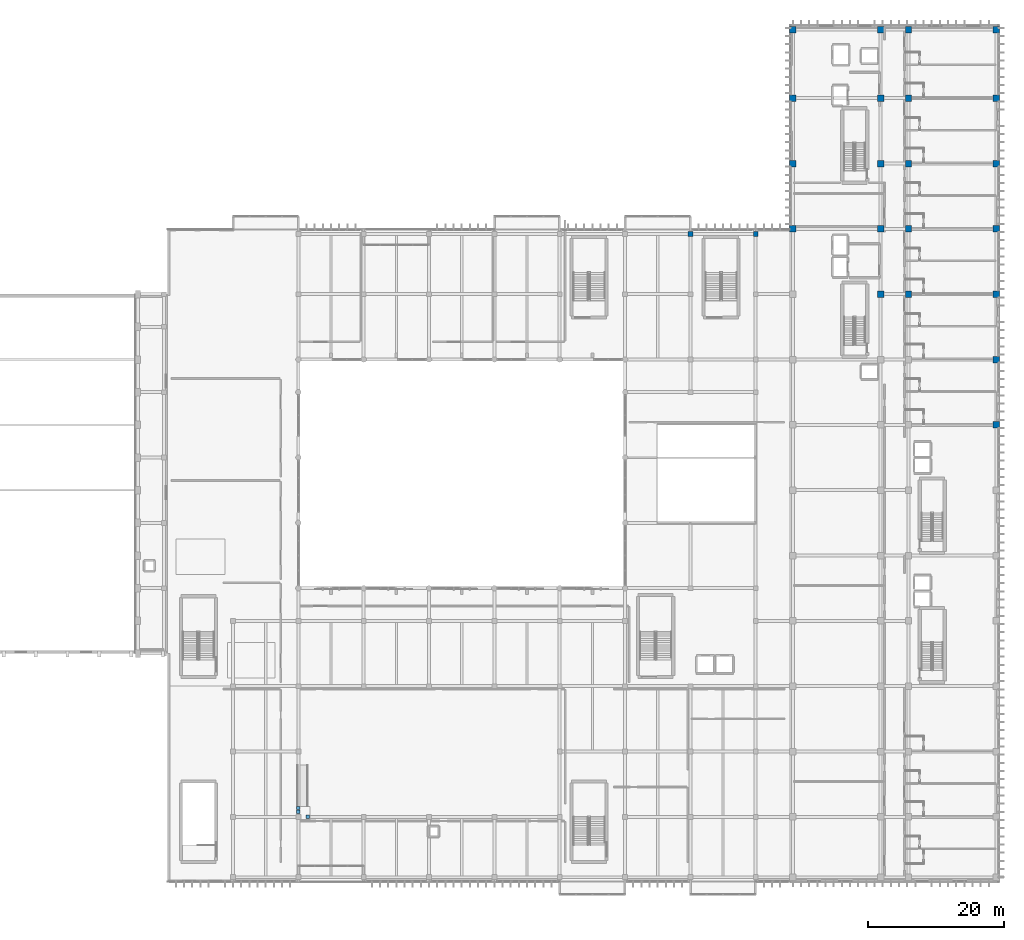
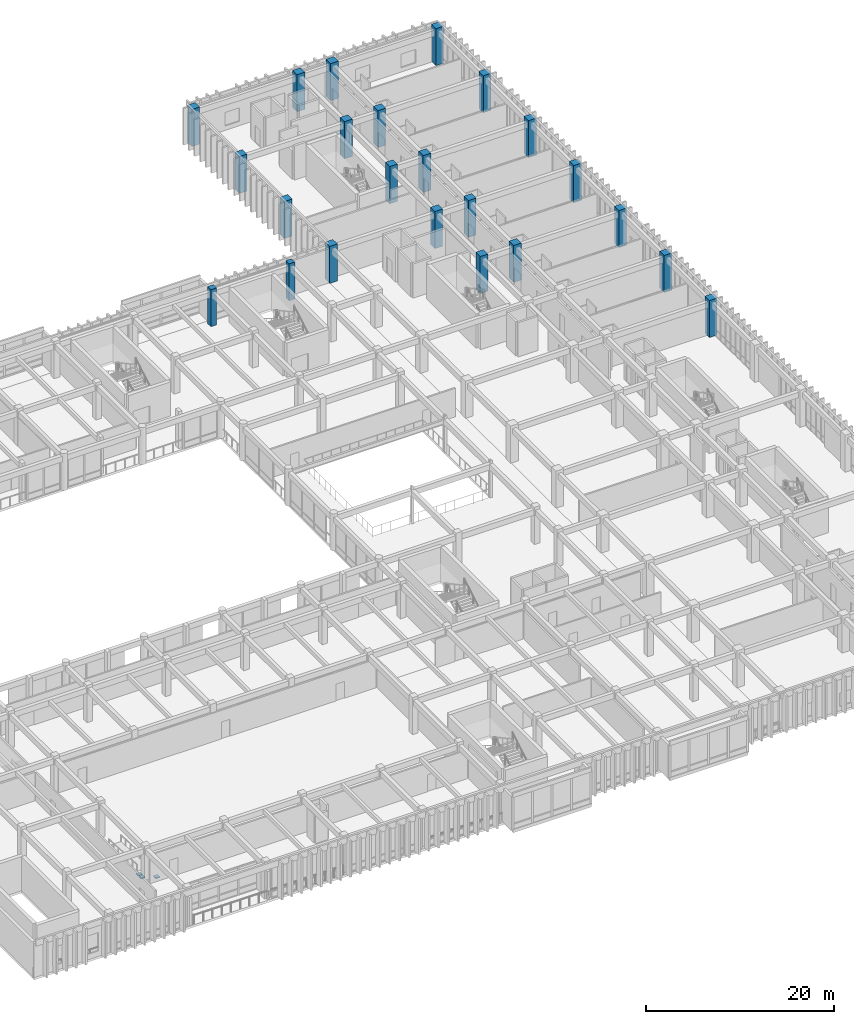
# One storey, part 6 of 133: 26 columns.
"""IFC4 building model written with IfcOpenShell, lengths in metres."""

import ifcopenshell
import ifcopenshell.guid

model = None  # the IFC model being written
_history = None  # IfcOwnerHistory: only IFC2X3 demands one
_inside = {}  # id of a spatial element -> (the spatial element, [elements in it])
_under = {}  # id of a project, library or spatial element -> (it, [spatial elements below it])
_declared = {}  # id of a project -> (the project, [libraries it declares])
_typed = {}  # id of a type object -> (the type object, [elements of that type])
_made_of = {}  # id of a material, layer set ... -> (it, [elements and type objects made of it])


def new_model(schema):
    """Start an empty IFC model of exactly this schema.

    Asked for "IFC4X3", IfcOpenShell would pick the latest addendum, in which some entities
    have other attributes; the version numbers below select the first issue.
    IFC2X3 requires an IfcOwnerHistory on every rooted entity: one is made here for all.
    """
    global model, _history
    if schema == "IFC4X3":
        model = ifcopenshell.file(schema_version=(4, 3, 0, 0))
    else:
        model = ifcopenshell.file(schema=schema)
    _inside.clear()
    _under.clear()
    _declared.clear()
    _typed.clear()
    _made_of.clear()
    _history = None
    if model.schema == "IFC2X3":
        org = make("IfcOrganization", Name="unknown")
        user = make(
            "IfcPersonAndOrganization",
            ThePerson=make("IfcPerson", FamilyName="unknown"),
            TheOrganization=org,
        )
        app = make(
            "IfcApplication",
            ApplicationDeveloper=org,
            Version="unknown",
            ApplicationFullName="unknown",
            ApplicationIdentifier="unknown",
        )
        _history = make(
            "IfcOwnerHistory",
            OwningUser=user,
            OwningApplication=app,
            ChangeAction="ADDED",
            CreationDate=0,
        )
    return model


def make(cls, **values):
    """One entity of the class cls with the attributes given. An attribute that is None is left unset."""
    return model.create_entity(
        cls, **{name: value for name, value in values.items() if value is not None}
    )


def rooted(cls, **values):
    """An entity with a GlobalId (a new one), such as an element, a storey or a relation."""
    return make(cls, GlobalId=ifcopenshell.guid.new(), OwnerHistory=_history, **values)


def si_unit(unit_type, name, prefix=None):
    """IfcSIUnit, for example si_unit("LENGTHUNIT", "METRE", prefix="MILLI")."""
    return make("IfcSIUnit", UnitType=unit_type, Prefix=prefix, Name=name)


def assignment(units):
    """IfcUnitAssignment: the units of a project."""
    return None if units is None else make("IfcUnitAssignment", Units=units)


def point(xyz):
    """IfcCartesianPoint."""
    return None if xyz is None else make("IfcCartesianPoint", Coordinates=xyz)


def direction(xyz):
    """IfcDirection."""
    return None if xyz is None else make("IfcDirection", DirectionRatios=xyz)


def frame(location, z_axis=None, x_axis=None):
    """IfcAxis2Placement3D, a coordinate frame: its origin and axes. An axis left out is left unset."""
    return make(
        "IfcAxis2Placement3D",
        Location=point(location),
        Axis=direction(z_axis),
        RefDirection=direction(x_axis),
    )


def frame_2d(location, x_axis=None):
    """IfcAxis2Placement2D, a coordinate frame in the plane: its origin and x axis."""
    return make(
        "IfcAxis2Placement2D", Location=point(location), RefDirection=direction(x_axis)
    )


def origin():
    """The frame at (0, 0, 0) with its axes left unset."""
    return frame((0.0, 0.0, 0.0))


def origin_2d():
    """The frame at (0, 0) in the plane with its x axis left unset."""
    return frame_2d((0.0, 0.0))


def place(relative_to, where):
    """IfcLocalPlacement: puts the frame where relative to a parent placement (None: the world)."""
    return make(
        "IfcLocalPlacement", PlacementRelTo=relative_to, RelativePlacement=where
    )


def context(
    kind, dimensions, precision=None, world=None, true_north=None, identifier=None
):
    """IfcGeometricRepresentationContext, for example the 3D "Model" context."""
    return make(
        "IfcGeometricRepresentationContext",
        ContextIdentifier=identifier,
        ContextType=kind,
        CoordinateSpaceDimension=dimensions,
        Precision=precision,
        WorldCoordinateSystem=world,
        TrueNorth=true_north,
    )


def subcontext(parent, identifier, kind, view, scale=None):
    """IfcGeometricRepresentationSubContext, for example "Body" below "Model"."""
    return make(
        "IfcGeometricRepresentationSubContext",
        ContextIdentifier=identifier,
        ContextType=kind,
        ParentContext=parent,
        TargetScale=scale,
        TargetView=view,
    )


def project(units=None, contexts=None):
    """IfcProject with its units and contexts."""
    return rooted(
        "IfcProject",
        Name="project",
        RepresentationContexts=contexts,
        UnitsInContext=assignment(units),
    )


def spatial(cls, under=None, at=None, **own):
    """A site, building, storey or space (cls), placed at a placement, below another one or the project."""
    s = rooted(cls, ObjectPlacement=at, **own)
    if under is not None:
        _under.setdefault(under.id(), (under, []))[1].append(s)
    return s


def profile(cls, at=None, kind="AREA", **sizes):
    """A parametric profile (cls). Its sizes go by their IFC names, for example OverallWidth=200.0."""
    return make(cls, ProfileType=kind, Position=at, **sizes)


def rectangle(**sizes):
    """IfcRectangleProfileDef."""
    return profile("IfcRectangleProfileDef", **sizes)


def extrude(swept, where, along, depth):
    """IfcExtrudedAreaSolid: the profile swept, set in the frame where, extruded along a direction by depth."""
    return make(
        "IfcExtrudedAreaSolid",
        SweptArea=swept,
        Position=where,
        ExtrudedDirection=direction(along),
        Depth=depth,
    )


def shape(context_of_items, identifier, shape_type, items):
    """IfcShapeRepresentation: the items that make up one representation, for example the "Body"."""
    return make(
        "IfcShapeRepresentation",
        ContextOfItems=context_of_items,
        RepresentationIdentifier=identifier,
        RepresentationType=shape_type,
        Items=items,
    )


def material(Name=None, Category=None):
    """IfcMaterial."""
    return make("IfcMaterial", Name=Name, Category=Category)


def material_profile(
    of_material, cross_section, Name=None, Category=None, Priority=None
):
    """IfcMaterialProfile: a cross section and its material."""
    return make(
        "IfcMaterialProfile",
        Name=Name,
        Material=of_material,
        Profile=cross_section,
        Priority=Priority,
        Category=Category,
    )


def profile_set(profiles, Name=None, composite=None):
    """IfcMaterialProfileSet."""
    return make(
        "IfcMaterialProfileSet",
        Name=Name,
        MaterialProfiles=profiles,
        CompositeProfile=composite,
    )


def made_of(thing, what):
    """Note that an element or type object is made of a material, layer set ...; save() writes the relation."""
    if what is not None:
        _made_of.setdefault(what.id(), (what, []))[1].append(thing)
    return thing


def type_object(cls, material=None, **own):
    """A type object (cls), such as IfcWallType, which elements share."""
    return made_of(rooted(cls, **own), material)


def element(
    cls,
    number,
    at=None,
    inside=None,
    cuts=None,
    type_object=None,
    material=None,
    context=None,
    identifier="Body",
    shape_type=None,
    held_by="IfcProductDefinitionShape",
    body=None,
    shapes=None,
    **own,
):
    """One element of the class cls, such as IfcWall. Its Tag is "e" and its number.

    at: its placement. inside: the storey or other place that contains it. cuts: it is an
    opening in that element (IfcRelVoidsElement). A single representation is given by context,
    identifier, shape_type and body (its items); several are given by shapes. held_by: the class
    of the entity that holds the representations. save() writes the other relations.
    """
    e = rooted(cls, Tag="e%d" % number, ObjectPlacement=at, **own)
    if body is not None:
        shapes = [shape(context, identifier, shape_type, body)]
    if shapes is not None:
        e.Representation = make(held_by, Representations=shapes)
    if inside is not None:
        _inside.setdefault(inside.id(), (inside, []))[1].append(e)
    if cuts is not None:
        rooted(
            "IfcRelVoidsElement", RelatingBuildingElement=cuts, RelatedOpeningElement=e
        )
    if type_object is not None:
        _typed.setdefault(type_object.id(), (type_object, []))[1].append(e)
    return made_of(e, material)


def aggregate(whole, parts):
    """IfcRelAggregates: a whole, such as a stair, and the parts it consists of."""
    return rooted("IfcRelAggregates", RelatingObject=whole, RelatedObjects=parts)


def save(model, path):
    """Write the relations noted so far, then the file.

    IfcRelAggregates (storeys below a building ...), IfcRelContainedInSpatialStructure (elements
    in a storey), IfcRelDefinesByType, IfcRelAssociatesMaterial and IfcRelDeclares: one each for
    every whole, place, type object, material and project.
    """
    for whole, parts in _under.values():
        aggregate(whole, parts)
    for where, things in _inside.values():
        rooted(
            "IfcRelContainedInSpatialStructure",
            RelatedElements=things,
            RelatingStructure=where,
        )
    for kind, things in _typed.values():
        rooted("IfcRelDefinesByType", RelatedObjects=things, RelatingType=kind)
    for what, things in _made_of.values():
        rooted("IfcRelAssociatesMaterial", RelatedObjects=things, RelatingMaterial=what)
    for by, libraries in _declared.values():
        rooted("IfcRelDeclares", RelatingContext=by, RelatedDefinitions=libraries)
    model.write(path)


model = new_model("IFC4")

# Units and contexts
model_context = context("Model", 3, precision=1e-05, world=origin(), true_north=direction((0.0, 1.0)))
body_context = subcontext(model_context, "Body", "Model", "MODEL_VIEW")
ifc_project = project(units=[si_unit("LENGTHUNIT", "METRE"), si_unit("AREAUNIT", "SQUARE_METRE"), si_unit("VOLUMEUNIT", "CUBIC_METRE"), si_unit("PLANEANGLEUNIT", "RADIAN"), si_unit("MASSUNIT", "GRAM", prefix="KILO")], contexts=[model_context])

# Site, building, storey
site_placement = place(None, origin())
site = spatial("IfcSite", under=ifc_project, at=site_placement, CompositionType="ELEMENT")
building_placement = place(site_placement, origin())
building = spatial("IfcBuilding", under=site, at=building_placement, Name="Nakhvara Creek Congress Hotel", CompositionType="ELEMENT")
storey_placement = place(building_placement, frame((0.0, 0.0, 11.39990234375)))
storey = spatial("IfcBuildingStorey", under=building, at=storey_placement, Name="L02", CompositionType="ELEMENT", Elevation=11.39990234375)

# Columns
ifc_material = material(Name="Concrete C50/60", Category="concrete")
ifc_material_profile_1 = material_profile(ifc_material, rectangle(XDim=0.5, YDim=0.5, at=origin_2d()), Name="RC-COL 500x500", Category="LoadBearing")
ifc_profile_set_1 = profile_set([ifc_material_profile_1], Name="Concrete C50/60")
column_type_1 = type_object("IfcColumnType", Name="COL-RC-500", PredefinedType="COLUMN", material=ifc_profile_set_1)
for number, where, z_axis, x_axis, name in (
    (1, (76.800048828125, 10.35009765625, 0.0), (0.0, 0.0, 1.0), (1.0, 0.0, 0.0), "Ramp Landing Support Pier PR04-1"),
    (2, (76.800048828125, 10.89990234375, 0.0), (0.0, 0.0, 1.0), (1.0, 0.0, 0.0), "Ramp Landing Support Pier PR04-2"),
    (3, (78.14990234375, 9.60009765625, 0.0), (0.0, 0.0, 1.0), (1.0, 0.0, 0.0), "Ramp Landing Support Pier PR04-3"),
):
    element("IfcColumn", number, at=place(storey_placement, frame(where, z_axis=z_axis, x_axis=x_axis)), inside=storey, type_object=column_type_1, Name=name, PredefinedType="COLUMN", context=body_context, shape_type="SweptSolid", body=[
        extrude(rectangle(XDim=0.5, YDim=0.5, at=origin_2d()), origin(), (0.0, 0.0, 1.0), 0.130126953125),
    ])
ifc_material_profile_2 = material_profile(ifc_material, rectangle(XDim=0.699951171875, YDim=0.699951171875, at=origin_2d()), Name="RC-COL 700x700", Category="LoadBearing")
ifc_profile_set_2 = profile_set([ifc_material_profile_2], Name="Concrete C50/60")
column_type_2 = type_object("IfcColumnType", Name="COL-RC-700", PredefinedType="COLUMN", material=ifc_profile_set_2)
for number, where, z_axis, x_axis, name in (
    (4, (134.39990234375, 95.25, 0.0), (0.0, 0.0, 1.0), (1.0, 0.0, 0.0), "Column C06-L02-1145"),
    (5, (144.0, 95.25, 0.0), (0.0, 0.0, 1.0), (1.0, 0.0, 0.0), "Column C06-L02-1157"),
):
    element("IfcColumn", number, at=place(storey_placement, frame(where, z_axis=z_axis, x_axis=x_axis)), inside=storey, type_object=column_type_2, Name=name, PredefinedType="COLUMN", context=body_context, shape_type="SweptSolid", body=[
        extrude(rectangle(XDim=0.699951171875, YDim=0.699951171875, at=origin_2d()), origin(), (0.0, 0.0, 1.0), 4.800048828125),
    ])
ifc_material_profile_3 = material_profile(ifc_material, rectangle(XDim=0.949951171875, YDim=0.949951171875, at=origin_2d()), Name="RC-COL 950x950", Category="LoadBearing")
ifc_profile_set_3 = profile_set([ifc_material_profile_3], Name="Concrete C50/60")
column_type_3 = type_object("IfcColumnType", Name="COL-RC-950", PredefinedType="COLUMN", material=ifc_profile_set_3)
for number, where, z_axis, x_axis, name in (
    (6, (149.449951171875, 96.0, 0.0), (0.0, 0.0, 1.0), (1.0, 0.0, 0.0), "Column C17-L02-1168"),
    (7, (149.449951171875, 105.60009765625, 0.0), (0.0, 0.0, 1.0), (1.0, 0.0, 0.0), "Column C17-L02-1169"),
    (8, (149.449951171875, 115.199951171875, 0.0), (0.0, 0.0, 1.0), (1.0, 0.0, 0.0), "Column C17-L02-1170"),
    (9, (149.449951171875, 125.25, 0.0), (0.0, 0.0, 1.0), (1.0, 0.0, 0.0), "Column C17-L02-1171"),
    (10, (162.35009765625, 86.39990234375, 0.0), (0.0, 0.0, 1.0), (1.0, 0.0, 0.0), "Column C17-L02-1181"),
    (11, (162.35009765625, 96.0, 0.0), (0.0, 0.0, 1.0), (1.0, 0.0, 0.0), "Column C17-L02-1182"),
    (12, (162.35009765625, 105.60009765625, 0.0), (0.0, 0.0, 1.0), (1.0, 0.0, 0.0), "Column C17-L02-1183"),
    (13, (162.35009765625, 115.199951171875, 0.0), (0.0, 0.0, 1.0), (1.0, 0.0, 0.0), "Column C17-L02-1184"),
    (14, (162.35009765625, 125.25, 0.0), (0.0, 0.0, 1.0), (1.0, 0.0, 0.0), "Column C17-L02-1185"),
    (15, (166.449951171875, 86.39990234375, 0.0), (0.0, 0.0, 1.0), (1.0, 0.0, 0.0), "Column C17-L02-1195"),
    (16, (166.449951171875, 96.0, 0.0), (0.0, 0.0, 1.0), (1.0, 0.0, 0.0), "Column C17-L02-1196"),
    (17, (166.449951171875, 105.60009765625, 0.0), (0.0, 0.0, 1.0), (1.0, 0.0, 0.0), "Column C17-L02-1197"),
    (18, (166.449951171875, 115.199951171875, 0.0), (0.0, 0.0, 1.0), (1.0, 0.0, 0.0), "Column C17-L02-1198"),
    (19, (166.449951171875, 125.25, 0.0), (0.0, 0.0, 1.0), (1.0, 0.0, 0.0), "Column C17-L02-1199"),
    (20, (179.35009765625, 67.199951171875, 0.0), (0.0, 0.0, 1.0), (1.0, 0.0, 0.0), "Column C17-L02-1207"),
    (21, (179.35009765625, 76.800048828125, 0.0), (0.0, 0.0, 1.0), (1.0, 0.0, 0.0), "Column C17-L02-1208"),
    (22, (179.35009765625, 86.39990234375, 0.0), (0.0, 0.0, 1.0), (1.0, 0.0, 0.0), "Column C17-L02-1209"),
    (23, (179.35009765625, 96.0, 0.0), (0.0, 0.0, 1.0), (1.0, 0.0, 0.0), "Column C17-L02-1210"),
    (24, (179.35009765625, 105.60009765625, 0.0), (0.0, 0.0, 1.0), (1.0, 0.0, 0.0), "Column C17-L02-1211"),
    (25, (179.35009765625, 115.199951171875, 0.0), (0.0, 0.0, 1.0), (1.0, 0.0, 0.0), "Column C17-L02-1212"),
    (26, (179.35009765625, 125.25, 0.0), (0.0, 0.0, 1.0), (1.0, 0.0, 0.0), "Column C17-L02-1213"),
):
    element("IfcColumn", number, at=place(storey_placement, frame(where, z_axis=z_axis, x_axis=x_axis)), inside=storey, type_object=column_type_3, Name=name, PredefinedType="COLUMN", context=body_context, shape_type="SweptSolid", body=[
        extrude(rectangle(XDim=0.949951171875, YDim=0.949951171875, at=origin_2d()), origin(), (0.0, 0.0, 1.0), 4.800048828125),
    ])

save(model, "model.ifc")
